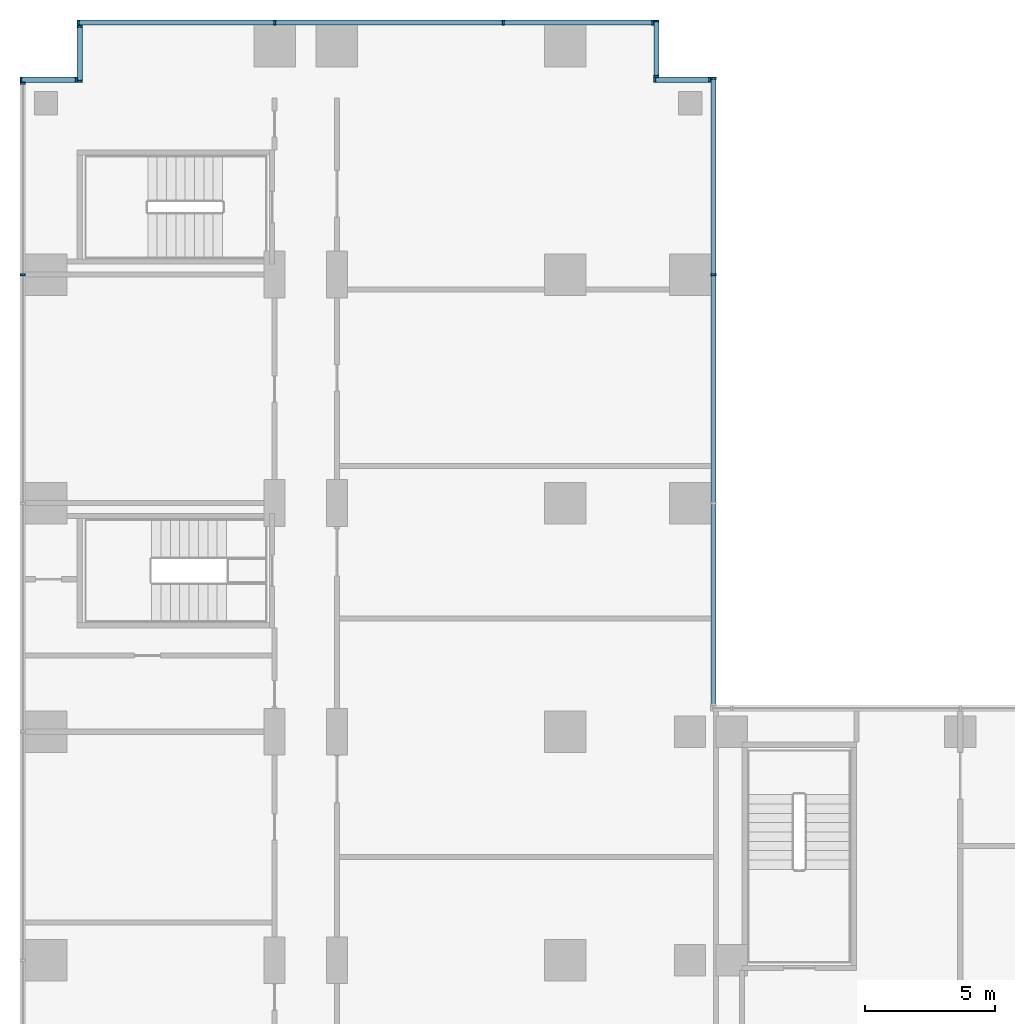
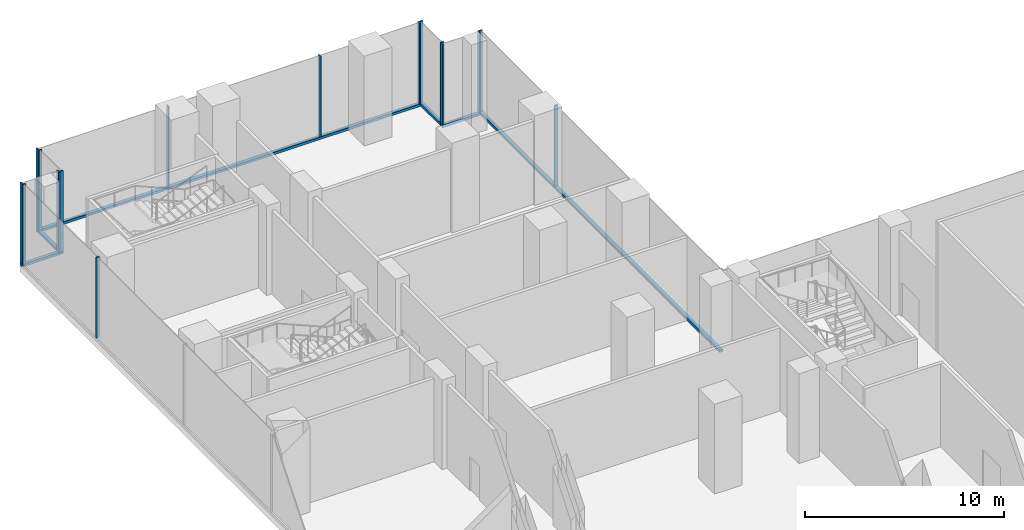
# One storey, part 11 of 30: 22 members, 7 elements without a shape of their own.
"""IFC4 building model written with IfcOpenShell, lengths in metres."""

from ifc_helpers import new_model, si_unit, direction, frame, origin, origin_2d, place, context, subcontext, project, spatial, rectangle, extrude, source, transform, mapped, material, material_profile, profile_set, type_object, element, aggregate, save


model = new_model("IFC4")

# Units and contexts
model_context = context("Model", 3, precision=1e-05, world=origin(), true_north=direction((0.0, 1.0)))
body_context = subcontext(model_context, "Body", "Model", "MODEL_VIEW")
ifc_project = project(units=[si_unit("LENGTHUNIT", "METRE"), si_unit("AREAUNIT", "SQUARE_METRE"), si_unit("VOLUMEUNIT", "CUBIC_METRE"), si_unit("PLANEANGLEUNIT", "RADIAN"), si_unit("MASSUNIT", "GRAM", prefix="KILO")], contexts=[model_context])

# Site, building, storey
site_placement = place(None, origin())
site = spatial("IfcSite", under=ifc_project, at=site_placement, CompositionType="ELEMENT")
building_placement = place(site_placement, origin())
building = spatial("IfcBuilding", under=site, at=building_placement, Name="Kemantara Hotel Tower", CompositionType="ELEMENT")
storey_placement = place(building_placement, frame((0.0, 0.0, 18.0)))
storey = spatial("IfcBuildingStorey", under=building, at=storey_placement, Name="L03", CompositionType="ELEMENT", Elevation=18.0)

# Curtain wall, member
ifc_material_1 = material(Name="Laminated tinted insulated glass 44 mm", Category="glass")
curtain_wall_type = type_object("IfcCurtainWallType", Name="PODIUM GLASS CURTAIN WALL", PredefinedType="USERDEFINED", material=ifc_material_1)
curtain_wall_1_placement = place(storey_placement, origin())
curtain_wall_1 = element("IfcCurtainWall", 1, at=curtain_wall_1_placement, inside=storey, type_object=curtain_wall_type, Name="CW1 L03 POD-R10-1", ObjectType="PODIUM GLASS CURTAIN WALL", PredefinedType="USERDEFINED")
ifc_material_2 = material(Name="Aluminium 6063-T6 bronze anodised", Category="aluminium")
ifc_material_profile_1 = material_profile(ifc_material_2, rectangle(XDim=0.199951171875, YDim=0.14990234375, at=origin_2d()), Name="PODIUM GLASS CURTAIN WALL TRANSOM")
ifc_profile_set_1 = profile_set([ifc_material_profile_1], Name="Aluminium 6063-T6 bronze anodised")
member_type_1 = type_object("IfcMemberType", Name="PODIUM GLASS CURTAIN WALL TRANSOM", PredefinedType="USERDEFINED", material=ifc_profile_set_1)
member_1_placement = place(storey_placement, frame((26.699951171875, 54.800048828125, 0.074951171875), z_axis=(0.0, 1.0, 0.0), x_axis=(-1.0, 0.0, 0.0)))
member_1 = element("IfcMember", 2, at=member_1_placement, type_object=member_type_1, Name="CW1 sill transom POD-R10-1", ObjectType="TRANSOM", PredefinedType="USERDEFINED", context=body_context, shape_type="SweptSolid", body=[
    extrude(rectangle(XDim=0.199951171875, YDim=0.14990234375, at=origin_2d()), origin(), (0.0, 0.0, 1.0), 24.199951171875),
])

curtain_wall_2_placement = place(storey_placement, origin())
curtain_wall_2 = element("IfcCurtainWall", 3, at=curtain_wall_2_placement, inside=storey, type_object=curtain_wall_type, Name="CW1 L03 POD-R13-1", ObjectType="PODIUM GLASS CURTAIN WALL", PredefinedType="USERDEFINED")
member_2_placement = place(storey_placement, frame((24.39990234375, 81.10009765625, 0.074951171875), z_axis=(-1.0, 0.0, 0.0), x_axis=(0.0, -1.0, 0.0)))
member_2 = element("IfcMember", 4, at=member_2_placement, type_object=member_type_1, Name="CW1 sill transom POD-R13-1", ObjectType="TRANSOM", PredefinedType="USERDEFINED", context=body_context, shape_type="SweptSolid", body=[
    extrude(rectangle(XDim=0.199951171875, YDim=0.14990234375, at=origin_2d()), origin(), (0.0, 0.0, 1.0), 22.199951171875),
])

curtain_wall_3_placement = place(storey_placement, origin())
curtain_wall_3 = element("IfcCurtainWall", 5, at=curtain_wall_3_placement, inside=storey, type_object=curtain_wall_type, Name="CW1 L03 POD-R11-1", ObjectType="PODIUM GLASS CURTAIN WALL", PredefinedType="USERDEFINED")
member_3_placement = place(storey_placement, frame((26.60009765625, 78.89990234375, 0.074951171875), z_axis=(-1.0, 0.0, 0.0), x_axis=(0.0, -1.0, 0.0)))
member_3 = element("IfcMember", 6, at=member_3_placement, type_object=member_type_1, Name="CW1 sill transom POD-R11-1", ObjectType="TRANSOM", PredefinedType="USERDEFINED", context=body_context, shape_type="SweptSolid", body=[
    extrude(rectangle(XDim=0.199951171875, YDim=0.14990234375, at=origin_2d()), origin(), (0.0, 0.0, 1.0), 2.2001953125),
])

curtain_wall_4_placement = place(storey_placement, origin())
curtain_wall_4 = element("IfcCurtainWall", 7, at=curtain_wall_4_placement, inside=storey, type_object=curtain_wall_type, Name="CW1 L03 POD-R12-1", ObjectType="PODIUM GLASS CURTAIN WALL", PredefinedType="USERDEFINED")
member_4_placement = place(storey_placement, frame((24.5, 79.0, 0.074951171875), z_axis=(0.0, 1.0, 0.0), x_axis=(-1.0, 0.0, 0.0)))
member_4 = element("IfcMember", 8, at=member_4_placement, type_object=member_type_1, Name="CW1 sill transom POD-R12-1", ObjectType="TRANSOM", PredefinedType="USERDEFINED", context=body_context, shape_type="SweptSolid", body=[
    extrude(rectangle(XDim=0.199951171875, YDim=0.14990234375, at=origin_2d()), origin(), (0.0, 0.0, 1.0), 2.199951171875),
])

curtain_wall_5_placement = place(storey_placement, origin())
curtain_wall_5 = element("IfcCurtainWall", 9, at=curtain_wall_5_placement, inside=storey, type_object=curtain_wall_type, Name="CW1 L03 POD-R14-1", ObjectType="PODIUM GLASS CURTAIN WALL", PredefinedType="USERDEFINED")
member_5_placement = place(storey_placement, frame((2.300048828125, 81.0, 0.074951171875), z_axis=(0.0, -1.0, 0.0), x_axis=(1.0, 0.0, 0.0)))
member_5 = element("IfcMember", 10, at=member_5_placement, type_object=member_type_1, Name="CW1 sill transom POD-R14-1", ObjectType="TRANSOM", PredefinedType="USERDEFINED", context=body_context, shape_type="SweptSolid", body=[
    extrude(rectangle(XDim=0.199951171875, YDim=0.14990234375, at=origin_2d()), origin(), (0.0, 0.0, 1.0), 2.199951171875),
])

curtain_wall_6_placement = place(storey_placement, origin())
curtain_wall_6 = element("IfcCurtainWall", 11, at=curtain_wall_6_placement, inside=storey, type_object=curtain_wall_type, Name="CW1 L03 POD-R15-1", ObjectType="PODIUM GLASS CURTAIN WALL", PredefinedType="USERDEFINED")
member_6_placement = place(storey_placement, frame((2.199951171875, 78.89990234375, 0.074951171875), z_axis=(-1.0, 0.0, 0.0), x_axis=(0.0, -1.0, 0.0)))
member_6 = element("IfcMember", 12, at=member_6_placement, type_object=member_type_1, Name="CW1 sill transom POD-R15-1", ObjectType="TRANSOM", PredefinedType="USERDEFINED", context=body_context, shape_type="SweptSolid", body=[
    extrude(rectangle(XDim=0.199951171875, YDim=0.14990234375, at=origin_2d()), origin(), (0.0, 0.0, 1.0), 2.199951171875),
])

# Member
ifc_material_profile_2 = material_profile(ifc_material_2, rectangle(XDim=0.199951171875, YDim=0.074951171875, at=origin_2d()), Name="PODIUM GLASS CURTAIN WALL MULLION")
ifc_profile_set_2 = profile_set([ifc_material_profile_2], Name="Aluminium 6063-T6 bronze anodised")
member_type_2 = type_object("IfcMemberType", Name="PODIUM GLASS CURTAIN WALL MULLION", PredefinedType="MULLION", material=ifc_profile_set_2)
shared_shape = source(origin(), body_context, "Body", "SweptSolid", [
    extrude(rectangle(XDim=0.199951171875, YDim=0.074951171875, at=origin_2d()), origin(), (0.0, 0.0, 1.0), 4.9501953125),
])
member_7_placement = place(storey_placement, frame((26.699951171875, 71.39990234375, 0.14990234375), z_axis=(0.0, 0.0, 1.0), x_axis=(-1.0, 0.0, 0.0)))
member_7 = element("IfcMember", 13, at=member_7_placement, type_object=member_type_2, Name="CW1 mullion POD-R10-1.3", PredefinedType="MULLION", context=body_context, shape_type="MappedRepresentation", body=[
    mapped(shared_shape, transform((0.0, 0.0, 0.0))),
])

member_8_placement = place(storey_placement, frame((26.699951171875, 78.96240234375, 0.14990234375), z_axis=(0.0, 0.0, 1.0), x_axis=(-1.0, 0.0, 0.0)))
member_8 = element("IfcMember", 14, at=member_8_placement, type_object=member_type_2, Name="CW1 mullion POD-R10-1.4", PredefinedType="MULLION", context=body_context, shape_type="MappedRepresentation", body=[
    mapped(shared_shape, transform((0.0, 0.0, 0.0))),
])

aggregate(curtain_wall_1, [member_1, member_7, member_8])

member_9_placement = place(storey_placement, frame((24.362548828125, 81.10009765625, 0.14990234375), z_axis=(0.0, 0.0, 1.0), x_axis=(0.0, -1.0, 0.0)))
member_9 = element("IfcMember", 15, at=member_9_placement, type_object=member_type_2, Name="CW1 mullion POD-R13-1.1", PredefinedType="MULLION", context=body_context, shape_type="MappedRepresentation", body=[
    mapped(shared_shape, transform((0.0, 0.0, 0.0))),
])

member_10_placement = place(storey_placement, frame((18.60009765625, 81.10009765625, 0.14990234375), z_axis=(0.0, 0.0, 1.0), x_axis=(0.0, -1.0, 0.0)))
member_10 = element("IfcMember", 16, at=member_10_placement, type_object=member_type_2, Name="CW1 mullion POD-R13-1.2", PredefinedType="MULLION", context=body_context, shape_type="MappedRepresentation", body=[
    mapped(shared_shape, transform((0.0, 0.0, 0.0))),
])

member_11_placement = place(storey_placement, frame((9.800048828125, 81.10009765625, 0.14990234375), z_axis=(0.0, 0.0, 1.0), x_axis=(0.0, -1.0, 0.0)))
member_11 = element("IfcMember", 17, at=member_11_placement, type_object=member_type_2, Name="CW1 mullion POD-R13-1.3", PredefinedType="MULLION", context=body_context, shape_type="MappedRepresentation", body=[
    mapped(shared_shape, transform((0.0, 0.0, 0.0))),
])

member_12_placement = place(storey_placement, frame((2.237548828125, 81.10009765625, 0.14990234375), z_axis=(0.0, 0.0, 1.0), x_axis=(0.0, -1.0, 0.0)))
member_12 = element("IfcMember", 18, at=member_12_placement, type_object=member_type_2, Name="CW1 mullion POD-R13-1.4", PredefinedType="MULLION", context=body_context, shape_type="MappedRepresentation", body=[
    mapped(shared_shape, transform((0.0, 0.0, 0.0))),
])

aggregate(curtain_wall_2, [member_2, member_9, member_10, member_11, member_12])

# Curtain wall, members
curtain_wall_7_placement = place(storey_placement, origin())
curtain_wall_7 = element("IfcCurtainWall", 19, at=curtain_wall_7_placement, inside=storey, type_object=curtain_wall_type, Name="CW1 L03 POD-R16-1", ObjectType="PODIUM GLASS CURTAIN WALL", PredefinedType="USERDEFINED")
member_13_placement = place(storey_placement, frame((0.10009765625, 78.762451171875, 0.14990234375), z_axis=(0.0, 0.0, 1.0), x_axis=(1.0, 0.0, 0.0)))
member_13 = element("IfcMember", 20, at=member_13_placement, type_object=member_type_2, Name="CW1 mullion POD-R16-1.1", PredefinedType="MULLION", context=body_context, shape_type="MappedRepresentation", body=[
    mapped(shared_shape, transform((0.0, 0.0, 0.0))),
])
member_14_placement = place(storey_placement, frame((0.10009765625, 71.39990234375, 0.14990234375), z_axis=(0.0, 0.0, 1.0), x_axis=(1.0, 0.0, 0.0)))
member_14 = element("IfcMember", 21, at=member_14_placement, type_object=member_type_2, Name="CW1 mullion POD-R16-1.2", PredefinedType="MULLION", context=body_context, shape_type="MappedRepresentation", body=[
    mapped(shared_shape, transform((0.0, 0.0, 0.0))),
])
aggregate(curtain_wall_7, [member_13, member_14])

# Member
member_15_placement = place(storey_placement, frame((26.5625, 78.89990234375, 0.14990234375), z_axis=(0.0, 0.0, 1.0), x_axis=(0.0, -1.0, 0.0)))
member_15 = element("IfcMember", 22, at=member_15_placement, type_object=member_type_2, Name="CW1 mullion POD-R11-1.1", PredefinedType="MULLION", context=body_context, shape_type="MappedRepresentation", body=[
    mapped(shared_shape, transform((0.0, 0.0, 0.0))),
])

member_16_placement = place(storey_placement, frame((24.4375, 78.89990234375, 0.14990234375), z_axis=(0.0, 0.0, 1.0), x_axis=(0.0, -1.0, 0.0)))
member_16 = element("IfcMember", 23, at=member_16_placement, type_object=member_type_2, Name="CW1 mullion POD-R11-1.2", PredefinedType="MULLION", context=body_context, shape_type="MappedRepresentation", body=[
    mapped(shared_shape, transform((0.0, 0.0, 0.0))),
])

aggregate(curtain_wall_3, [member_3, member_15, member_16])

member_17_placement = place(storey_placement, frame((24.5, 79.03759765625, 0.14990234375), z_axis=(0.0, 0.0, 1.0), x_axis=(-1.0, 0.0, 0.0)))
member_17 = element("IfcMember", 24, at=member_17_placement, type_object=member_type_2, Name="CW1 mullion POD-R12-1.1", PredefinedType="MULLION", context=body_context, shape_type="MappedRepresentation", body=[
    mapped(shared_shape, transform((0.0, 0.0, 0.0))),
])

member_18_placement = place(storey_placement, frame((24.5, 81.16259765625, 0.14990234375), z_axis=(0.0, 0.0, 1.0), x_axis=(-1.0, 0.0, 0.0)))
member_18 = element("IfcMember", 25, at=member_18_placement, type_object=member_type_2, Name="CW1 mullion POD-R12-1.2", PredefinedType="MULLION", context=body_context, shape_type="MappedRepresentation", body=[
    mapped(shared_shape, transform((0.0, 0.0, 0.0))),
])

aggregate(curtain_wall_4, [member_4, member_17, member_18])

member_19_placement = place(storey_placement, frame((2.300048828125, 80.96240234375, 0.14990234375), z_axis=(0.0, 0.0, 1.0), x_axis=(1.0, 0.0, 0.0)))
member_19 = element("IfcMember", 26, at=member_19_placement, type_object=member_type_2, Name="CW1 mullion POD-R14-1.1", PredefinedType="MULLION", context=body_context, shape_type="MappedRepresentation", body=[
    mapped(shared_shape, transform((0.0, 0.0, 0.0))),
])

member_20_placement = place(storey_placement, frame((2.300048828125, 78.83740234375, 0.14990234375), z_axis=(0.0, 0.0, 1.0), x_axis=(1.0, 0.0, 0.0)))
member_20 = element("IfcMember", 27, at=member_20_placement, type_object=member_type_2, Name="CW1 mullion POD-R14-1.2", PredefinedType="MULLION", context=body_context, shape_type="MappedRepresentation", body=[
    mapped(shared_shape, transform((0.0, 0.0, 0.0))),
])

aggregate(curtain_wall_5, [member_5, member_19, member_20])

member_21_placement = place(storey_placement, frame((2.16259765625, 78.89990234375, 0.14990234375), z_axis=(0.0, 0.0, 1.0), x_axis=(0.0, -1.0, 0.0)))
member_21 = element("IfcMember", 28, at=member_21_placement, type_object=member_type_2, Name="CW1 mullion POD-R15-1.1", PredefinedType="MULLION", context=body_context, shape_type="MappedRepresentation", body=[
    mapped(shared_shape, transform((0.0, 0.0, 0.0))),
])

member_22_placement = place(storey_placement, frame((0.03759765625, 78.89990234375, 0.14990234375), z_axis=(0.0, 0.0, 1.0), x_axis=(0.0, -1.0, 0.0)))
member_22 = element("IfcMember", 29, at=member_22_placement, type_object=member_type_2, Name="CW1 mullion POD-R15-1.2", PredefinedType="MULLION", context=body_context, shape_type="MappedRepresentation", body=[
    mapped(shared_shape, transform((0.0, 0.0, 0.0))),
])

aggregate(curtain_wall_6, [member_6, member_21, member_22])

save(model, "model.ifc")
